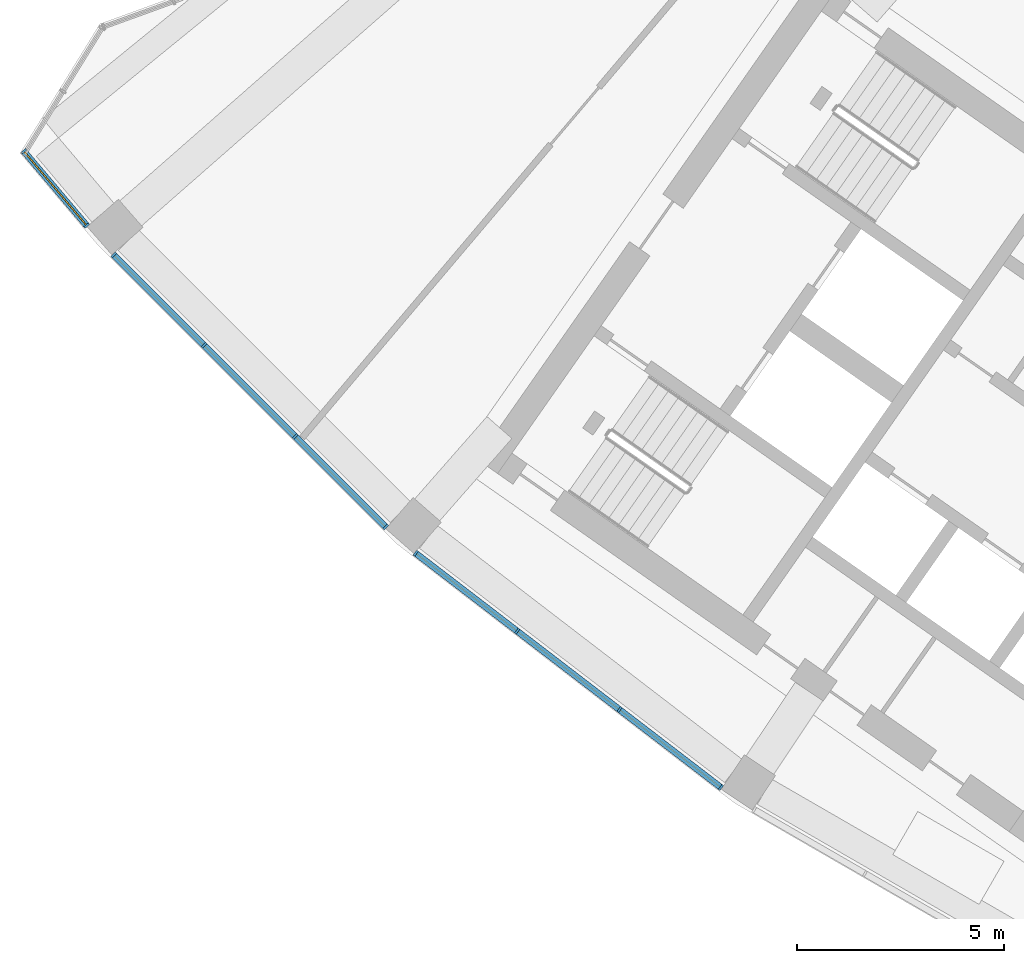
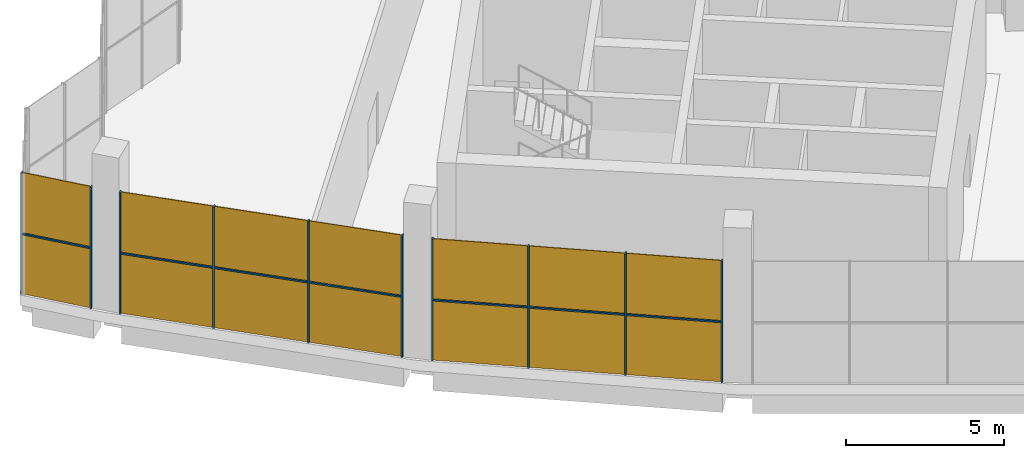
# One storey, part 23 of 41: 17 members, 3 curtain walls.
"""IFC4 building model written with IfcOpenShell, lengths in metres."""

import ifcopenshell
import ifcopenshell.guid

model = None  # the IFC model being written
_history = None  # IfcOwnerHistory: only IFC2X3 demands one
_inside = {}  # id of a spatial element -> (the spatial element, [elements in it])
_under = {}  # id of a project, library or spatial element -> (it, [spatial elements below it])
_declared = {}  # id of a project -> (the project, [libraries it declares])
_typed = {}  # id of a type object -> (the type object, [elements of that type])
_made_of = {}  # id of a material, layer set ... -> (it, [elements and type objects made of it])


def new_model(schema):
    """Start an empty IFC model of exactly this schema.

    Asked for "IFC4X3", IfcOpenShell would pick the latest addendum, in which some entities
    have other attributes; the version numbers below select the first issue.
    IFC2X3 requires an IfcOwnerHistory on every rooted entity: one is made here for all.
    """
    global model, _history
    if schema == "IFC4X3":
        model = ifcopenshell.file(schema_version=(4, 3, 0, 0))
    else:
        model = ifcopenshell.file(schema=schema)
    _inside.clear()
    _under.clear()
    _declared.clear()
    _typed.clear()
    _made_of.clear()
    _history = None
    if model.schema == "IFC2X3":
        org = make("IfcOrganization", Name="unknown")
        user = make(
            "IfcPersonAndOrganization",
            ThePerson=make("IfcPerson", FamilyName="unknown"),
            TheOrganization=org,
        )
        app = make(
            "IfcApplication",
            ApplicationDeveloper=org,
            Version="unknown",
            ApplicationFullName="unknown",
            ApplicationIdentifier="unknown",
        )
        _history = make(
            "IfcOwnerHistory",
            OwningUser=user,
            OwningApplication=app,
            ChangeAction="ADDED",
            CreationDate=0,
        )
    return model


def make(cls, **values):
    """One entity of the class cls with the attributes given. An attribute that is None is left unset."""
    return model.create_entity(
        cls, **{name: value for name, value in values.items() if value is not None}
    )


def rooted(cls, **values):
    """An entity with a GlobalId (a new one), such as an element, a storey or a relation."""
    return make(cls, GlobalId=ifcopenshell.guid.new(), OwnerHistory=_history, **values)


def si_unit(unit_type, name, prefix=None):
    """IfcSIUnit, for example si_unit("LENGTHUNIT", "METRE", prefix="MILLI")."""
    return make("IfcSIUnit", UnitType=unit_type, Prefix=prefix, Name=name)


def assignment(units):
    """IfcUnitAssignment: the units of a project."""
    return None if units is None else make("IfcUnitAssignment", Units=units)


def point(xyz):
    """IfcCartesianPoint."""
    return None if xyz is None else make("IfcCartesianPoint", Coordinates=xyz)


def direction(xyz):
    """IfcDirection."""
    return None if xyz is None else make("IfcDirection", DirectionRatios=xyz)


def frame(location, z_axis=None, x_axis=None):
    """IfcAxis2Placement3D, a coordinate frame: its origin and axes. An axis left out is left unset."""
    return make(
        "IfcAxis2Placement3D",
        Location=point(location),
        Axis=direction(z_axis),
        RefDirection=direction(x_axis),
    )


def frame_2d(location, x_axis=None):
    """IfcAxis2Placement2D, a coordinate frame in the plane: its origin and x axis."""
    return make(
        "IfcAxis2Placement2D", Location=point(location), RefDirection=direction(x_axis)
    )


def origin():
    """The frame at (0, 0, 0) with its axes left unset."""
    return frame((0.0, 0.0, 0.0))


def origin_2d():
    """The frame at (0, 0) in the plane with its x axis left unset."""
    return frame_2d((0.0, 0.0))


def place(relative_to, where):
    """IfcLocalPlacement: puts the frame where relative to a parent placement (None: the world)."""
    return make(
        "IfcLocalPlacement", PlacementRelTo=relative_to, RelativePlacement=where
    )


def context(
    kind, dimensions, precision=None, world=None, true_north=None, identifier=None
):
    """IfcGeometricRepresentationContext, for example the 3D "Model" context."""
    return make(
        "IfcGeometricRepresentationContext",
        ContextIdentifier=identifier,
        ContextType=kind,
        CoordinateSpaceDimension=dimensions,
        Precision=precision,
        WorldCoordinateSystem=world,
        TrueNorth=true_north,
    )


def subcontext(parent, identifier, kind, view, scale=None):
    """IfcGeometricRepresentationSubContext, for example "Body" below "Model"."""
    return make(
        "IfcGeometricRepresentationSubContext",
        ContextIdentifier=identifier,
        ContextType=kind,
        ParentContext=parent,
        TargetScale=scale,
        TargetView=view,
    )


def project(units=None, contexts=None):
    """IfcProject with its units and contexts."""
    return rooted(
        "IfcProject",
        Name="project",
        RepresentationContexts=contexts,
        UnitsInContext=assignment(units),
    )


def spatial(cls, under=None, at=None, **own):
    """A site, building, storey or space (cls), placed at a placement, below another one or the project."""
    s = rooted(cls, ObjectPlacement=at, **own)
    if under is not None:
        _under.setdefault(under.id(), (under, []))[1].append(s)
    return s


def profile(cls, at=None, kind="AREA", **sizes):
    """A parametric profile (cls). Its sizes go by their IFC names, for example OverallWidth=200.0."""
    return make(cls, ProfileType=kind, Position=at, **sizes)


def rectangle(**sizes):
    """IfcRectangleProfileDef."""
    return profile("IfcRectangleProfileDef", **sizes)


def extrude(swept, where, along, depth):
    """IfcExtrudedAreaSolid: the profile swept, set in the frame where, extruded along a direction by depth."""
    return make(
        "IfcExtrudedAreaSolid",
        SweptArea=swept,
        Position=where,
        ExtrudedDirection=direction(along),
        Depth=depth,
    )


def shape(context_of_items, identifier, shape_type, items):
    """IfcShapeRepresentation: the items that make up one representation, for example the "Body"."""
    return make(
        "IfcShapeRepresentation",
        ContextOfItems=context_of_items,
        RepresentationIdentifier=identifier,
        RepresentationType=shape_type,
        Items=items,
    )


def material(Name=None, Category=None):
    """IfcMaterial."""
    return make("IfcMaterial", Name=Name, Category=Category)


def material_profile(
    of_material, cross_section, Name=None, Category=None, Priority=None
):
    """IfcMaterialProfile: a cross section and its material."""
    return make(
        "IfcMaterialProfile",
        Name=Name,
        Material=of_material,
        Profile=cross_section,
        Priority=Priority,
        Category=Category,
    )


def profile_set(profiles, Name=None, composite=None):
    """IfcMaterialProfileSet."""
    return make(
        "IfcMaterialProfileSet",
        Name=Name,
        MaterialProfiles=profiles,
        CompositeProfile=composite,
    )


def made_of(thing, what):
    """Note that an element or type object is made of a material, layer set ...; save() writes the relation."""
    if what is not None:
        _made_of.setdefault(what.id(), (what, []))[1].append(thing)
    return thing


def type_object(cls, material=None, **own):
    """A type object (cls), such as IfcWallType, which elements share."""
    return made_of(rooted(cls, **own), material)


def element(
    cls,
    number,
    at=None,
    inside=None,
    cuts=None,
    type_object=None,
    material=None,
    context=None,
    identifier="Body",
    shape_type=None,
    held_by="IfcProductDefinitionShape",
    body=None,
    shapes=None,
    **own,
):
    """One element of the class cls, such as IfcWall. Its Tag is "e" and its number.

    at: its placement. inside: the storey or other place that contains it. cuts: it is an
    opening in that element (IfcRelVoidsElement). A single representation is given by context,
    identifier, shape_type and body (its items); several are given by shapes. held_by: the class
    of the entity that holds the representations. save() writes the other relations.
    """
    e = rooted(cls, Tag="e%d" % number, ObjectPlacement=at, **own)
    if body is not None:
        shapes = [shape(context, identifier, shape_type, body)]
    if shapes is not None:
        e.Representation = make(held_by, Representations=shapes)
    if inside is not None:
        _inside.setdefault(inside.id(), (inside, []))[1].append(e)
    if cuts is not None:
        rooted(
            "IfcRelVoidsElement", RelatingBuildingElement=cuts, RelatedOpeningElement=e
        )
    if type_object is not None:
        _typed.setdefault(type_object.id(), (type_object, []))[1].append(e)
    return made_of(e, material)


def aggregate(whole, parts):
    """IfcRelAggregates: a whole, such as a stair, and the parts it consists of."""
    return rooted("IfcRelAggregates", RelatingObject=whole, RelatedObjects=parts)


def save(model, path):
    """Write the relations noted so far, then the file.

    IfcRelAggregates (storeys below a building ...), IfcRelContainedInSpatialStructure (elements
    in a storey), IfcRelDefinesByType, IfcRelAssociatesMaterial and IfcRelDeclares: one each for
    every whole, place, type object, material and project.
    """
    for whole, parts in _under.values():
        aggregate(whole, parts)
    for where, things in _inside.values():
        rooted(
            "IfcRelContainedInSpatialStructure",
            RelatedElements=things,
            RelatingStructure=where,
        )
    for kind, things in _typed.values():
        rooted("IfcRelDefinesByType", RelatedObjects=things, RelatingType=kind)
    for what, things in _made_of.values():
        rooted("IfcRelAssociatesMaterial", RelatedObjects=things, RelatingMaterial=what)
    for by, libraries in _declared.values():
        rooted("IfcRelDeclares", RelatingContext=by, RelatedDefinitions=libraries)
    model.write(path)


model = new_model("IFC4")

# Units and contexts
model_context = context("Model", 3, precision=1e-05, world=origin(), true_north=direction((0.0, 1.0)))
body_context = subcontext(model_context, "Body", "Model", "MODEL_VIEW")
ifc_project = project(units=[si_unit("LENGTHUNIT", "METRE"), si_unit("AREAUNIT", "SQUARE_METRE"), si_unit("VOLUMEUNIT", "CUBIC_METRE"), si_unit("PLANEANGLEUNIT", "RADIAN"), si_unit("MASSUNIT", "GRAM", prefix="KILO")], contexts=[model_context])

# Member
ifc_material = material(Name="Aluminium 6063-T6 anodised", Category="aluminium")
ifc_material_profile_1 = material_profile(ifc_material, rectangle(XDim=0.14990234375, YDim=0.050048828125, at=origin_2d()))
ifc_profile_set_1 = profile_set([ifc_material_profile_1], Name="Aluminium 6063-T6 anodised")
member_type_1 = type_object("IfcMemberType", Name="Mullion 50 x 150 aluminium, frameless", PredefinedType="MULLION", material=ifc_profile_set_1)
site_placement = place(None, origin())
building_placement = place(site_placement, origin())
storey_placement = place(building_placement, frame((0.0, 0.0, 284.699951171875)))
member_1_placement = place(storey_placement, frame((-60.654296875, -49.437255859375, 0.0), z_axis=(0.0, 0.0, 1.0), x_axis=(0.763709922042, 0.645559567332, 0.0)))
member_1 = element("IfcMember", 1, at=member_1_placement, type_object=member_type_1, Name="e-cw3-L69-out00/M00", PredefinedType="MULLION", context=body_context, shape_type="SweptSolid", body=[
    extrude(rectangle(XDim=0.14990234375, YDim=0.050048828125, at=origin_2d()), origin(), (0.0, 0.0, 1.0), 4.699951171875),
])

member_2_placement = place(storey_placement, frame((-59.14013671875, -51.228515625, 0.0), z_axis=(0.0, 0.0, 1.0), x_axis=(0.763709922042, 0.645559567332, 0.0)))
member_2 = element("IfcMember", 2, at=member_2_placement, type_object=member_type_1, Name="e-cw3-L69-out00/M01", PredefinedType="MULLION", context=body_context, shape_type="SweptSolid", body=[
    extrude(rectangle(XDim=0.14990234375, YDim=0.050048828125, at=origin_2d()), origin(), (0.0, 0.0, 1.0), 4.699951171875),
])

member_3_placement = place(storey_placement, frame((-58.489501953125, -51.935546875, 0.0), z_axis=(0.0, 0.0, 1.0), x_axis=(0.707106781187, 0.707106781187, 0.0)))
member_3 = element("IfcMember", 3, at=member_3_placement, type_object=member_type_1, Name="e-cw3-L69-out01/M00", PredefinedType="MULLION", context=body_context, shape_type="SweptSolid", body=[
    extrude(rectangle(XDim=0.14990234375, YDim=0.050048828125, at=origin_2d()), origin(), (0.0, 0.0, 1.0), 4.699951171875),
])

member_4_placement = place(storey_placement, frame((-56.310791015625, -54.1142578125, 0.0), z_axis=(0.0, 0.0, 1.0), x_axis=(0.707106781187, 0.707106781187, 0.0)))
member_4 = element("IfcMember", 4, at=member_4_placement, type_object=member_type_1, Name="e-cw3-L69-out01/M01", PredefinedType="MULLION", context=body_context, shape_type="SweptSolid", body=[
    extrude(rectangle(XDim=0.14990234375, YDim=0.050048828125, at=origin_2d()), origin(), (0.0, 0.0, 1.0), 4.699951171875),
])

member_5_placement = place(storey_placement, frame((-54.1142578125, -56.310791015625, 0.0), z_axis=(0.0, 0.0, 1.0), x_axis=(0.707106781187, 0.707106781187, 0.0)))
member_5 = element("IfcMember", 5, at=member_5_placement, type_object=member_type_1, Name="e-cw3-L69-out01/M02", PredefinedType="MULLION", context=body_context, shape_type="SweptSolid", body=[
    extrude(rectangle(XDim=0.14990234375, YDim=0.050048828125, at=origin_2d()), origin(), (0.0, 0.0, 1.0), 4.699951171875),
])

member_6_placement = place(storey_placement, frame((-51.935546875, -58.489501953125, 0.0), z_axis=(0.0, 0.0, 1.0), x_axis=(0.707106781187, 0.707106781187, 0.0)))
member_6 = element("IfcMember", 6, at=member_6_placement, type_object=member_type_1, Name="e-cw3-L69-out01/M03", PredefinedType="MULLION", context=body_context, shape_type="SweptSolid", body=[
    extrude(rectangle(XDim=0.14990234375, YDim=0.050048828125, at=origin_2d()), origin(), (0.0, 0.0, 1.0), 4.699951171875),
])

member_7_placement = place(storey_placement, frame((-51.210205078125, -59.12548828125, 0.0), z_axis=(0.0, 0.0, 1.0), x_axis=(0.608761429009, 0.793353340291, 0.0)))
member_7 = element("IfcMember", 7, at=member_7_placement, type_object=member_type_1, Name="e-cw3-L69-out02/M00", PredefinedType="MULLION", context=body_context, shape_type="SweptSolid", body=[
    extrude(rectangle(XDim=0.14990234375, YDim=0.050048828125, at=origin_2d()), origin(), (0.0, 0.0, 1.0), 4.699951171875),
])

member_8_placement = place(storey_placement, frame((-48.765625, -61.001220703125, 0.0), z_axis=(0.0, 0.0, 1.0), x_axis=(0.608761429009, 0.793353340291, 0.0)))
member_8 = element("IfcMember", 8, at=member_8_placement, type_object=member_type_1, Name="e-cw3-L69-out02/M01", PredefinedType="MULLION", context=body_context, shape_type="SweptSolid", body=[
    extrude(rectangle(XDim=0.14990234375, YDim=0.050048828125, at=origin_2d()), origin(), (0.0, 0.0, 1.0), 4.699951171875),
])

member_9_placement = place(storey_placement, frame((-46.30126953125, -62.892333984375, 0.0), z_axis=(0.0, 0.0, 1.0), x_axis=(0.608761429009, 0.793353340291, 0.0)))
member_9 = element("IfcMember", 9, at=member_9_placement, type_object=member_type_1, Name="e-cw3-L69-out02/M02", PredefinedType="MULLION", context=body_context, shape_type="SweptSolid", body=[
    extrude(rectangle(XDim=0.14990234375, YDim=0.050048828125, at=origin_2d()), origin(), (0.0, 0.0, 1.0), 4.699951171875),
])

member_10_placement = place(storey_placement, frame((-43.856689453125, -64.76806640625, 0.0), z_axis=(0.0, 0.0, 1.0), x_axis=(0.608761429009, 0.793353340291, 0.0)))
member_10 = element("IfcMember", 10, at=member_10_placement, type_object=member_type_1, Name="e-cw3-L69-out02/M03", PredefinedType="MULLION", context=body_context, shape_type="SweptSolid", body=[
    extrude(rectangle(XDim=0.14990234375, YDim=0.050048828125, at=origin_2d()), origin(), (0.0, 0.0, 1.0), 4.699951171875),
])

ifc_material_profile_2 = material_profile(ifc_material, rectangle(XDim=0.14990234375, YDim=0.050048828125, at=origin_2d()))
ifc_profile_set_2 = profile_set([ifc_material_profile_2], Name="Aluminium 6063-T6 anodised")
member_type_2 = type_object("IfcMemberType", Name="Transom 50 x 150 aluminium, frameless", PredefinedType="USERDEFINED", material=ifc_profile_set_2)
member_11_placement = place(storey_placement, frame((-60.63818359375, -49.456298828125, 2.35009765625), z_axis=(0.645555991428, -0.763712944719, 0.0), x_axis=(0.763712944719, 0.645555991428, 0.0)))
member_11 = element("IfcMember", 11, at=member_11_placement, type_object=member_type_2, Name="e-cw3-L69-out00/T00", ObjectType="TRANSOM", PredefinedType="USERDEFINED", context=body_context, shape_type="SweptSolid", body=[
    extrude(rectangle(XDim=0.14990234375, YDim=0.050048828125, at=origin_2d()), origin(), (0.0, 0.0, 1.0), 2.295654296875),
])

member_12_placement = place(storey_placement, frame((-58.4716796875, -51.953125, 2.35009765625), z_axis=(0.707066509707, -0.707147050373, 0.0), x_axis=(0.707147050373, 0.707066509707, 0.0)))
member_12 = element("IfcMember", 12, at=member_12_placement, type_object=member_type_2, Name="e-cw3-L69-out01/T00", ObjectType="TRANSOM", PredefinedType="USERDEFINED", context=body_context, shape_type="SweptSolid", body=[
    extrude(rectangle(XDim=0.14990234375, YDim=0.050048828125, at=origin_2d()), origin(), (0.0, 0.0, 1.0), 3.03125),
])

member_13_placement = place(storey_placement, frame((-56.29296875, -54.1318359375, 2.35009765625), z_axis=(0.707106781187, -0.707106781187, 0.0), x_axis=(0.707106781187, 0.707106781187, 0.0)))
member_13 = element("IfcMember", 13, at=member_13_placement, type_object=member_type_2, Name="e-cw3-L69-out01/T01", ObjectType="TRANSOM", PredefinedType="USERDEFINED", context=body_context, shape_type="SweptSolid", body=[
    extrude(rectangle(XDim=0.14990234375, YDim=0.050048828125, at=origin_2d()), origin(), (0.0, 0.0, 1.0), 3.056396484375),
])

member_14_placement = place(storey_placement, frame((-54.0966796875, -56.328369140625, 2.35009765625), z_axis=(0.707147050373, -0.707066509707, 0.0), x_axis=(0.707066509707, 0.707147050373, 0.0)))
member_14 = element("IfcMember", 14, at=member_14_placement, type_object=member_type_2, Name="e-cw3-L69-out01/T02", ObjectType="TRANSOM", PredefinedType="USERDEFINED", context=body_context, shape_type="SweptSolid", body=[
    extrude(rectangle(XDim=0.14990234375, YDim=0.050048828125, at=origin_2d()), origin(), (0.0, 0.0, 1.0), 3.03125),
])

member_15_placement = place(storey_placement, frame((-51.190185546875, -59.140869140625, 2.35009765625), z_axis=(0.793359985566, -0.60875276862, 0.0), x_axis=(0.60875276862, 0.793359985566, 0.0)))
member_15 = element("IfcMember", 15, at=member_15_placement, type_object=member_type_2, Name="e-cw3-L69-out02/T00", ObjectType="TRANSOM", PredefinedType="USERDEFINED", context=body_context, shape_type="SweptSolid", body=[
    extrude(rectangle(XDim=0.14990234375, YDim=0.050048828125, at=origin_2d()), origin(), (0.0, 0.0, 1.0), 3.03125),
])

member_16_placement = place(storey_placement, frame((-48.745849609375, -61.0166015625, 2.35009765625), z_axis=(0.793395454483, -0.608706540794, 0.0), x_axis=(0.608706540794, 0.793395454483, 0.0)))
member_16 = element("IfcMember", 16, at=member_16_placement, type_object=member_type_2, Name="e-cw3-L69-out02/T01", ObjectType="TRANSOM", PredefinedType="USERDEFINED", context=body_context, shape_type="SweptSolid", body=[
    extrude(rectangle(XDim=0.14990234375, YDim=0.050048828125, at=origin_2d()), origin(), (0.0, 0.0, 1.0), 3.05615234375),
])

member_17_placement = place(storey_placement, frame((-46.281494140625, -62.907470703125, 2.35009765625), z_axis=(0.793359985566, -0.60875276862, 0.0), x_axis=(0.60875276862, 0.793359985566, 0.0)))
member_17 = element("IfcMember", 17, at=member_17_placement, type_object=member_type_2, Name="e-cw3-L69-out02/T02", ObjectType="TRANSOM", PredefinedType="USERDEFINED", context=body_context, shape_type="SweptSolid", body=[
    extrude(rectangle(XDim=0.14990234375, YDim=0.050048828125, at=origin_2d()), origin(), (0.0, 0.0, 1.0), 3.03125),
])

# Site, building, storey
site = spatial("IfcSite", under=ifc_project, at=site_placement, CompositionType="ELEMENT")
building = spatial("IfcBuilding", under=site, at=building_placement, Name="Qamariyya Broadcast Tower", CompositionType="ELEMENT")
storey = spatial("IfcBuildingStorey", under=building, at=storey_placement, Name="L69", CompositionType="ELEMENT", Elevation=284.699951171875)

# Curtain wall
curtain_wall_type = type_object("IfcCurtainWallType", Name="Observation deck frameless glazing wall", PredefinedType="NOTDEFINED", material=ifc_material)
curtain_wall_1_placement = place(storey_placement, origin())
curtain_wall_1 = element("IfcCurtainWall", 18, at=curtain_wall_1_placement, inside=storey, type_object=curtain_wall_type, Name="e-cw3-L69-out00", PredefinedType="NOTDEFINED", context=body_context, shape_type="SweptSolid", body=[
    extrude(rectangle(XDim=2.295654296875, YDim=0.031982421875, at=origin_2d()), frame((-59.897216796875, -50.3330078125, 0.0), x_axis=(0.645521837104, -0.763741813587, 0.0)), (0.0, 0.0, 1.0), 2.324951171875),
    extrude(rectangle(XDim=2.295654296875, YDim=0.031982421875, at=origin_2d()), frame((-59.897216796875, -50.3330078125, 2.375), x_axis=(0.645521837104, -0.763741813587, 0.0)), (0.0, 0.0, 1.0), 2.324951171875),
])

aggregate(curtain_wall_1, [member_1, member_2, member_11])

curtain_wall_2_placement = place(storey_placement, origin())
curtain_wall_2 = element("IfcCurtainWall", 19, at=curtain_wall_2_placement, inside=storey, type_object=curtain_wall_type, Name="e-cw3-L69-out01", PredefinedType="NOTDEFINED", context=body_context, shape_type="SweptSolid", body=[
    extrude(rectangle(XDim=3.03125, YDim=0.031982421875, at=origin_2d()), frame((-57.39990234375, -53.02490234375, 0.0), x_axis=(0.707106781187, -0.707106781187, 0.0)), (0.0, 0.0, 1.0), 2.324951171875),
    extrude(rectangle(XDim=3.03125, YDim=0.031982421875, at=origin_2d()), frame((-57.39990234375, -53.02490234375, 2.375), x_axis=(0.707106781187, -0.707106781187, 0.0)), (0.0, 0.0, 1.0), 2.324951171875),
    extrude(rectangle(XDim=3.05615234375, YDim=0.031982421875, at=origin_2d()), frame((-55.21240234375, -55.21240234375, 0.0), x_axis=(0.707106781187, -0.707106781187, 0.0)), (0.0, 0.0, 1.0), 2.324951171875),
    extrude(rectangle(XDim=3.05615234375, YDim=0.031982421875, at=origin_2d()), frame((-55.21240234375, -55.21240234375, 2.375), x_axis=(0.707106781187, -0.707106781187, 0.0)), (0.0, 0.0, 1.0), 2.324951171875),
    extrude(rectangle(XDim=3.03125, YDim=0.031982421875, at=origin_2d()), frame((-53.02490234375, -57.39990234375, 0.0), x_axis=(0.707106781187, -0.707106781187, 0.0)), (0.0, 0.0, 1.0), 2.324951171875),
    extrude(rectangle(XDim=3.03125, YDim=0.031982421875, at=origin_2d()), frame((-53.02490234375, -57.39990234375, 2.375), x_axis=(0.707106781187, -0.707106781187, 0.0)), (0.0, 0.0, 1.0), 2.324951171875),
])

aggregate(curtain_wall_2, [member_3, member_4, member_5, member_6, member_12, member_13, member_14])

curtain_wall_3_placement = place(storey_placement, origin())
curtain_wall_3 = element("IfcCurtainWall", 20, at=curtain_wall_3_placement, inside=storey, type_object=curtain_wall_type, Name="e-cw3-L69-out02", PredefinedType="NOTDEFINED", context=body_context, shape_type="SweptSolid", body=[
    extrude(rectangle(XDim=3.03125, YDim=0.031982421875, at=origin_2d()), frame((-49.98779296875, -60.0634765625, 0.0), x_axis=(0.793355818396, -0.608758199466, 0.0)), (0.0, 0.0, 1.0), 2.324951171875),
    extrude(rectangle(XDim=3.03125, YDim=0.031982421875, at=origin_2d()), frame((-49.98779296875, -60.0634765625, 2.375), x_axis=(0.793355818396, -0.608758199466, 0.0)), (0.0, 0.0, 1.0), 2.324951171875),
    extrude(rectangle(XDim=3.05615234375, YDim=0.031982421875, at=origin_2d()), frame((-47.533447265625, -61.94677734375, 0.0), x_axis=(0.793355818396, -0.608758199466, 0.0)), (0.0, 0.0, 1.0), 2.324951171875),
    extrude(rectangle(XDim=3.05615234375, YDim=0.031982421875, at=origin_2d()), frame((-47.533447265625, -61.94677734375, 2.375), x_axis=(0.793355818396, -0.608758199466, 0.0)), (0.0, 0.0, 1.0), 2.324951171875),
    extrude(rectangle(XDim=3.03125, YDim=0.031982421875, at=origin_2d()), frame((-45.0791015625, -63.830078125, 0.0), x_axis=(0.793355818396, -0.608758199466, 0.0)), (0.0, 0.0, 1.0), 2.324951171875),
    extrude(rectangle(XDim=3.03125, YDim=0.031982421875, at=origin_2d()), frame((-45.0791015625, -63.830078125, 2.375), x_axis=(0.793355818396, -0.608758199466, 0.0)), (0.0, 0.0, 1.0), 2.324951171875),
])

aggregate(curtain_wall_3, [member_7, member_8, member_9, member_10, member_15, member_16, member_17])

save(model, "model.ifc")
